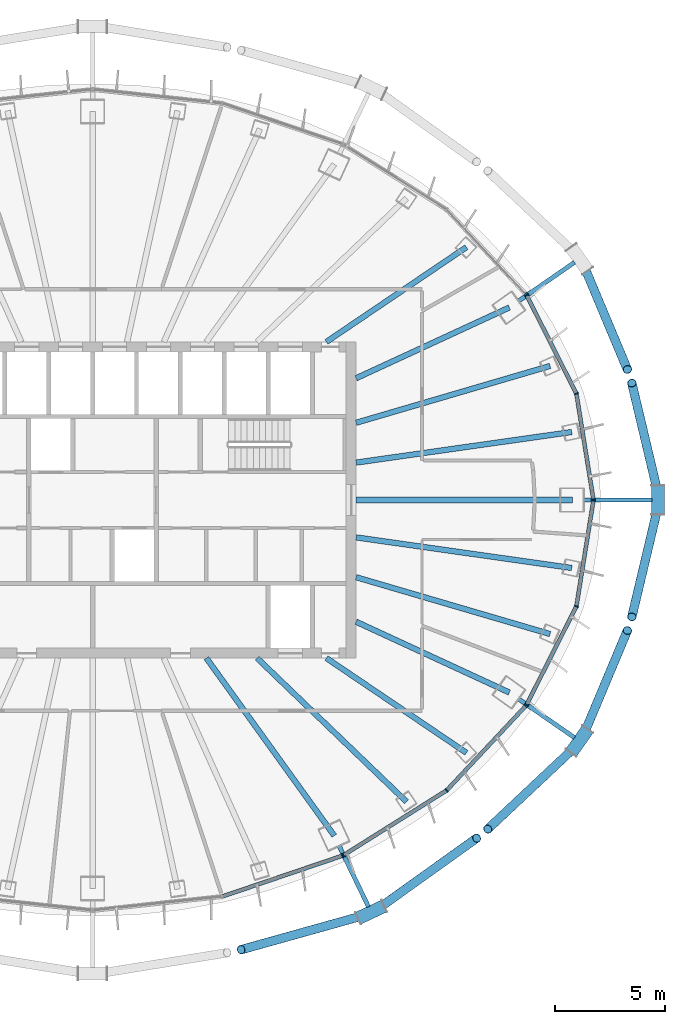
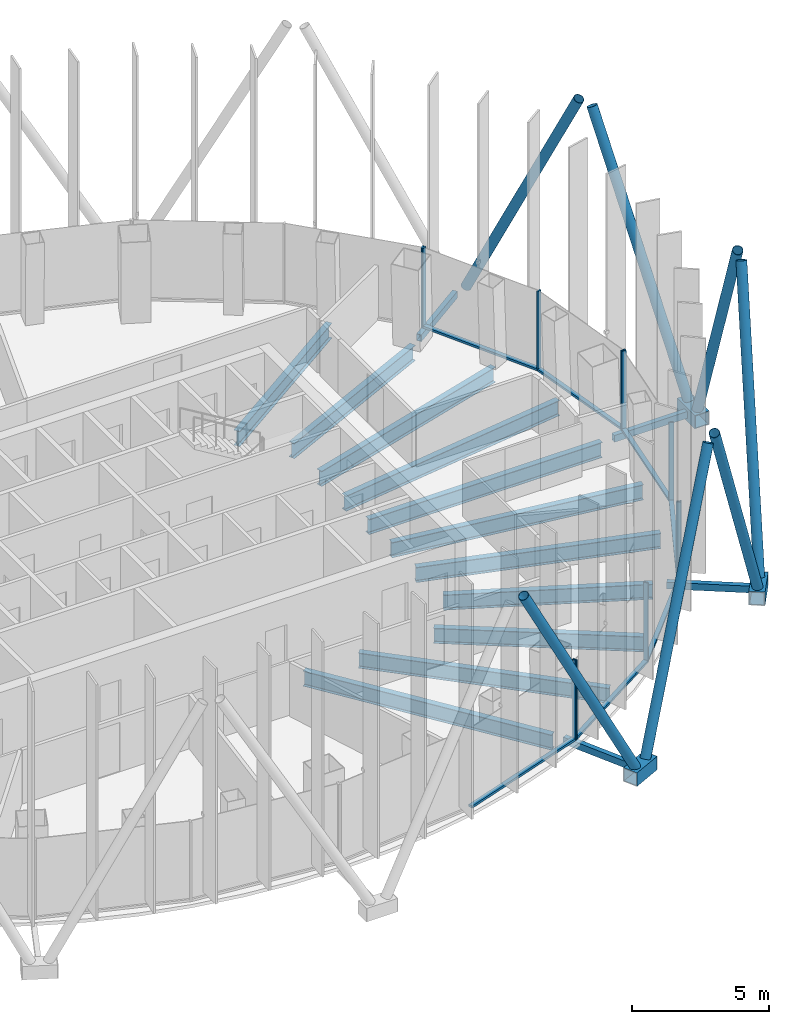
# One storey, part 4 of 17: 32 members, 11 beams, 5 elements without a shape of their own.
"""IFC4 building model written with IfcOpenShell, lengths in metres."""

from ifc_helpers import new_model, si_unit, direction, frame, origin, origin_2d, place, context, subcontext, project, spatial, rectangle, hollow_rectangle, hollow_circle, i_section, extrude, material, layer, layer_set, material_profile, profile_set, type_object, element, aggregate, save


model = new_model("IFC4")

# Units and contexts
model_context = context("Model", 3, precision=1e-05, world=origin(), true_north=direction((0.0, 1.0)))
body_context = subcontext(model_context, "Body", "Model", "MODEL_VIEW")
ifc_project = project(units=[si_unit("LENGTHUNIT", "METRE"), si_unit("AREAUNIT", "SQUARE_METRE"), si_unit("VOLUMEUNIT", "CUBIC_METRE"), si_unit("PLANEANGLEUNIT", "RADIAN"), si_unit("MASSUNIT", "GRAM", prefix="KILO")], contexts=[model_context])

# Site, building, storey
site_placement = place(None, origin())
site = spatial("IfcSite", under=ifc_project, at=site_placement, CompositionType="ELEMENT")
building_placement = place(site_placement, origin())
building = spatial("IfcBuilding", under=site, at=building_placement, Name="Siaravel Broadcast Tower", CompositionType="ELEMENT")
storey_placement = place(building_placement, frame((0.0, 0.0, 190.39990234375)))
storey = spatial("IfcBuildingStorey", under=building, at=storey_placement, Name="L46", CompositionType="ELEMENT", Elevation=190.39990234375)

# Beams
ifc_material_1 = material(Name="Steel S355", Category="steel")
ifc_material_profile_1 = material_profile(ifc_material_1, i_section(OverallWidth=0.2529296875, OverallDepth=0.677978515625, WebThickness=0.01171875, FlangeThickness=0.01611328125, FilletRadius=0.01513671875, at=origin_2d()))
ifc_profile_set_1 = profile_set([ifc_material_profile_1], Name="Steel S355")
beam_type = type_object("IfcBeamType", Name="BM-UB 686x254x125", PredefinedType="BEAM", material=ifc_profile_set_1)
beam_1_placement = place(storey_placement, frame((21.852294921875, 0.0, -0.489013671875), z_axis=(-1.0, 0.0, 0.0), x_axis=(0.0, -1.0, 0.0)))
element("IfcBeam", 1, at=beam_1_placement, inside=storey, type_object=beam_type, Name="Radial beam RB01", PredefinedType="BEAM", context=body_context, shape_type="SweptSolid", body=[
    extrude(i_section(OverallWidth=0.2529296875, OverallDepth=0.677978515625, WebThickness=0.01171875, FlangeThickness=0.01611328125, FilletRadius=0.01513671875, at=origin_2d()), origin(), (0.0, 0.0, 1.0), 9.852294921875),
])
beam_2_placement = place(storey_placement, frame((21.821533203125, 3.09619140625, -0.489013671875), z_axis=(-0.990083424, -0.140480653, 0.0), x_axis=(0.140480653, -0.990083424, 0.0)))
element("IfcBeam", 2, at=beam_2_placement, inside=storey, type_object=beam_type, Name="Radial beam RB02", PredefinedType="BEAM", context=body_context, shape_type="SweptSolid", body=[
    extrude(i_section(OverallWidth=0.2529296875, OverallDepth=0.677978515625, WebThickness=0.01171875, FlangeThickness=0.01611328125, FilletRadius=0.01513671875, at=origin_2d()), origin(), (0.0, 0.0, 1.0), 9.919921875),
])
beam_3_placement = place(storey_placement, frame((20.837158203125, 6.105224609375, -0.489013671875), z_axis=(-0.959660493, -0.281161409, 0.0), x_axis=(0.281161409, -0.959660493, 0.0)))
element("IfcBeam", 3, at=beam_3_placement, inside=storey, type_object=beam_type, Name="Radial beam RB03", PredefinedType="BEAM", context=body_context, shape_type="SweptSolid", body=[
    extrude(i_section(OverallWidth=0.2529296875, OverallDepth=0.677978515625, WebThickness=0.01171875, FlangeThickness=0.01611328125, FilletRadius=0.01513671875, at=origin_2d()), origin(), (0.0, 0.0, 1.0), 9.208740234375),
])
beam_4_placement = place(storey_placement, frame((18.978271484375, 8.7666015625, -0.489013671875), z_axis=(-0.907828267, -0.419342148, 0.0), x_axis=(0.419342148, -0.907828267, 0.0)))
element("IfcBeam", 4, at=beam_4_placement, inside=storey, type_object=beam_type, Name="Radial beam RB04", PredefinedType="BEAM", context=body_context, shape_type="SweptSolid", body=[
    extrude(i_section(OverallWidth=0.2529296875, OverallDepth=0.677978515625, WebThickness=0.01171875, FlangeThickness=0.01611328125, FilletRadius=0.01513671875, at=origin_2d()), origin(), (0.0, 0.0, 1.0), 7.686767578125),
])
beam_5_placement = place(storey_placement, frame((17.023681640625, 11.51220703125, -0.489013671875), z_axis=(-0.828367821, -0.560184571, 0.0), x_axis=(0.560184571, -0.828367821, 0.0)))
element("IfcBeam", 5, at=beam_5_placement, inside=storey, type_object=beam_type, Name="Radial beam RB05", PredefinedType="BEAM", context=body_context, shape_type="SweptSolid", body=[
    extrude(i_section(OverallWidth=0.2529296875, OverallDepth=0.677978515625, WebThickness=0.01171875, FlangeThickness=0.01611328125, FilletRadius=0.01513671875, at=origin_2d()), origin(), (0.0, 0.0, 1.0), 7.697998046875),
])
beam_6_placement = place(storey_placement, frame((11.005859375, -15.287353515625, -0.489013671875), z_axis=(-0.584260838, 0.811565939, 0.0), x_axis=(-0.811565939, -0.584260838, 0.0)))
element("IfcBeam", 6, at=beam_6_placement, inside=storey, type_object=beam_type, Name="Radial beam RB31", PredefinedType="BEAM", context=body_context, shape_type="SweptSolid", body=[
    extrude(i_section(OverallWidth=0.2529296875, OverallDepth=0.677978515625, WebThickness=0.01171875, FlangeThickness=0.01611328125, FilletRadius=0.01513671875, at=origin_2d()), origin(), (0.0, 0.0, 1.0), 9.965087890625),
])
beam_7_placement = place(storey_placement, frame((14.30029296875, -13.742919921875, -0.489013671875), z_axis=(-0.721006936, 0.692927845, 0.0), x_axis=(-0.692927845, -0.721006936, 0.0)))
element("IfcBeam", 7, at=beam_7_placement, inside=storey, type_object=beam_type, Name="Radial beam RB32", PredefinedType="BEAM", context=body_context, shape_type="SweptSolid", body=[
    extrude(i_section(OverallWidth=0.2529296875, OverallDepth=0.677978515625, WebThickness=0.01171875, FlangeThickness=0.01611328125, FilletRadius=0.01513671875, at=origin_2d()), origin(), (0.0, 0.0, 1.0), 9.4423828125),
])
beam_8_placement = place(storey_placement, frame((17.023681640625, -11.51220703125, -0.489013671875), z_axis=(-0.828367821, 0.560184571, 0.0), x_axis=(-0.560184571, -0.828367821, 0.0)))
element("IfcBeam", 8, at=beam_8_placement, inside=storey, type_object=beam_type, Name="Radial beam RB33", PredefinedType="BEAM", context=body_context, shape_type="SweptSolid", body=[
    extrude(i_section(OverallWidth=0.2529296875, OverallDepth=0.677978515625, WebThickness=0.01171875, FlangeThickness=0.01611328125, FilletRadius=0.01513671875, at=origin_2d()), origin(), (0.0, 0.0, 1.0), 7.697998046875),
])
beam_9_placement = place(storey_placement, frame((18.978271484375, -8.7666015625, -0.489013671875), z_axis=(-0.907828267, 0.419342148, 0.0), x_axis=(-0.419342148, -0.907828267, 0.0)))
element("IfcBeam", 9, at=beam_9_placement, inside=storey, type_object=beam_type, Name="Radial beam RB34", PredefinedType="BEAM", context=body_context, shape_type="SweptSolid", body=[
    extrude(i_section(OverallWidth=0.2529296875, OverallDepth=0.677978515625, WebThickness=0.01171875, FlangeThickness=0.01611328125, FilletRadius=0.01513671875, at=origin_2d()), origin(), (0.0, 0.0, 1.0), 7.686767578125),
])
beam_10_placement = place(storey_placement, frame((20.837158203125, -6.105224609375, -0.489013671875), z_axis=(-0.959660493, 0.281161409, 0.0), x_axis=(-0.281161409, -0.959660493, 0.0)))
element("IfcBeam", 10, at=beam_10_placement, inside=storey, type_object=beam_type, Name="Radial beam RB35", PredefinedType="BEAM", context=body_context, shape_type="SweptSolid", body=[
    extrude(i_section(OverallWidth=0.2529296875, OverallDepth=0.677978515625, WebThickness=0.01171875, FlangeThickness=0.01611328125, FilletRadius=0.01513671875, at=origin_2d()), origin(), (0.0, 0.0, 1.0), 9.208740234375),
])
beam_11_placement = place(storey_placement, frame((21.821533203125, -3.09619140625, -0.489013671875), z_axis=(-0.990083424, 0.140480653, 0.0), x_axis=(-0.140480653, -0.990083424, 0.0)))
element("IfcBeam", 11, at=beam_11_placement, inside=storey, type_object=beam_type, Name="Radial beam RB36", PredefinedType="BEAM", context=body_context, shape_type="SweptSolid", body=[
    extrude(i_section(OverallWidth=0.2529296875, OverallDepth=0.677978515625, WebThickness=0.01171875, FlangeThickness=0.01611328125, FilletRadius=0.01513671875, at=origin_2d()), origin(), (0.0, 0.0, 1.0), 9.919921875),
])

# Curtain wall, members
ifc_material_2 = material(Name="Aluminium 6063-T6", Category="aluminium")
ifc_layer = layer(ifc_material_2, 0.179931640625)
ifc_layer_set = layer_set([ifc_layer], Name="Aluminium 6063-T6")
curtain_wall_type = type_object("IfcCurtainWallType", Name="Unitised curtain wall, zone 3", PredefinedType="NOTDEFINED", material=ifc_layer_set)
curtain_wall_1_placement = place(storey_placement, origin())
curtain_wall_1 = element("IfcCurtainWall", 12, at=curtain_wall_1_placement, inside=storey, type_object=curtain_wall_type, Name="L46 Unitised curtain wall, zone 3 01", PredefinedType="NOTDEFINED")
ifc_material_profile_2 = material_profile(ifc_material_2, rectangle(XDim=0.179931640625, YDim=0.06005859375, at=origin_2d()))
ifc_profile_set_2 = profile_set([ifc_material_profile_2], Name="Aluminium 6063-T6")
member_type_1 = type_object("IfcMemberType", Name="CW-Z3 mullion", PredefinedType="MULLION", material=ifc_profile_set_2)
member_1_placement = place(storey_placement, frame((22.805419921875, 0.029541015625, 0.0), z_axis=(0.0, 0.0, 1.0), x_axis=(-0.987329188, -0.158685461, 0.0)))
member_1 = element("IfcMember", 13, at=member_1_placement, type_object=member_type_1, Name="CW-Z3 mullion 1", PredefinedType="MULLION", context=body_context, shape_type="SweptSolid", body=[
    extrude(rectangle(XDim=0.179931640625, YDim=0.06005859375, at=origin_2d()), origin(), (0.0, 0.0, 1.0), 3.550048828125),
])
member_2_placement = place(storey_placement, frame((22.0322265625, 4.8408203125, 0.0), z_axis=(0.0, 0.0, 1.0), x_axis=(-0.951177224, -0.308645247, 0.0)))
member_2 = element("IfcMember", 14, at=member_2_placement, type_object=member_type_1, Name="CW-Z3 mullion 2", PredefinedType="MULLION", context=body_context, shape_type="SweptSolid", body=[
    extrude(rectangle(XDim=0.179931640625, YDim=0.06005859375, at=origin_2d()), origin(), (0.0, 0.0, 1.0), 3.550048828125),
])
member_3_placement = place(storey_placement, frame((19.765380859375, 9.323486328125, 0.0), z_axis=(0.0, 0.0, 1.0), x_axis=(-0.892392092, -0.45126085, 0.0)))
member_3 = element("IfcMember", 15, at=member_3_placement, type_object=member_type_1, Name="CW-Z3 mullion 3", PredefinedType="MULLION", context=body_context, shape_type="SweptSolid", body=[
    extrude(rectangle(XDim=0.179931640625, YDim=0.06005859375, at=origin_2d()), origin(), (0.0, 0.0, 1.0), 3.550048828125),
])

# Curtain wall, member
curtain_wall_2_placement = place(storey_placement, origin())
curtain_wall_2 = element("IfcCurtainWall", 16, at=curtain_wall_2_placement, inside=storey, type_object=curtain_wall_type, Name="L46 Unitised curtain wall, zone 3 02", PredefinedType="NOTDEFINED")
member_4_placement = place(storey_placement, frame((19.7314453125, 9.372314453125, 0.0), z_axis=(0.0, 0.0, 1.0), x_axis=(-0.729805157, -0.6836552, 0.0)))
member_4 = element("IfcMember", 17, at=member_4_placement, type_object=member_type_1, Name="CW-Z3 mullion 1", PredefinedType="MULLION", context=body_context, shape_type="SweptSolid", body=[
    extrude(rectangle(XDim=0.179931640625, YDim=0.06005859375, at=origin_2d()), origin(), (0.0, 0.0, 1.0), 3.550048828125),
])
aggregate(curtain_wall_2, [member_4])

curtain_wall_3_placement = place(storey_placement, origin())
curtain_wall_3 = element("IfcCurtainWall", 18, at=curtain_wall_3_placement, inside=storey, type_object=curtain_wall_type, Name="L46 Unitised curtain wall, zone 3 10", PredefinedType="NOTDEFINED")
member_5_placement = place(storey_placement, frame((11.373046875, -16.2001953125, 0.0), z_axis=(0.0, 0.0, 1.0), x_axis=(-0.321300458, 0.946977305, 0.0)))
member_5 = element("IfcMember", 19, at=member_5_placement, type_object=member_type_1, Name="CW-Z3 mullion 3", PredefinedType="MULLION", context=body_context, shape_type="SweptSolid", body=[
    extrude(rectangle(XDim=0.179931640625, YDim=0.06005859375, at=origin_2d()), origin(), (0.0, 0.0, 1.0), 3.550048828125),
])

# Curtain wall, members
curtain_wall_4_placement = place(storey_placement, origin())
curtain_wall_4 = element("IfcCurtainWall", 20, at=curtain_wall_4_placement, inside=storey, type_object=curtain_wall_type, Name="L46 Unitised curtain wall, zone 3 11", PredefinedType="NOTDEFINED")
member_6_placement = place(storey_placement, frame((11.427001953125, -16.1748046875, 0.0), z_axis=(0.0, 0.0, 1.0), x_axis=(-0.532149052, 0.846650687, 0.0)))
member_6 = element("IfcMember", 21, at=member_6_placement, type_object=member_type_1, Name="CW-Z3 mullion 1", PredefinedType="MULLION", context=body_context, shape_type="SweptSolid", body=[
    extrude(rectangle(XDim=0.179931640625, YDim=0.06005859375, at=origin_2d()), origin(), (0.0, 0.0, 1.0), 3.550048828125),
])
member_7_placement = place(storey_placement, frame((16.12548828125, -13.221435546875, 0.0), z_axis=(0.0, 0.0, 1.0), x_axis=(-0.636218507, 0.771508918, 0.0)))
member_7 = element("IfcMember", 22, at=member_7_placement, type_object=member_type_1, Name="CW-Z3 mullion 2", PredefinedType="MULLION", context=body_context, shape_type="SweptSolid", body=[
    extrude(rectangle(XDim=0.179931640625, YDim=0.06005859375, at=origin_2d()), origin(), (0.0, 0.0, 1.0), 3.550048828125),
])
member_8_placement = place(storey_placement, frame((19.7314453125, -9.372314453125, 0.0), z_axis=(0.0, 0.0, 1.0), x_axis=(-0.729805157, 0.6836552, 0.0)))
member_8 = element("IfcMember", 23, at=member_8_placement, type_object=member_type_1, Name="CW-Z3 mullion 3", PredefinedType="MULLION", context=body_context, shape_type="SweptSolid", body=[
    extrude(rectangle(XDim=0.179931640625, YDim=0.06005859375, at=origin_2d()), origin(), (0.0, 0.0, 1.0), 3.550048828125),
])

curtain_wall_5_placement = place(storey_placement, origin())
curtain_wall_5 = element("IfcCurtainWall", 24, at=curtain_wall_5_placement, inside=storey, type_object=curtain_wall_type, Name="L46 Unitised curtain wall, zone 3 12", PredefinedType="NOTDEFINED")
member_9_placement = place(storey_placement, frame((19.765380859375, -9.323486328125, 0.0), z_axis=(0.0, 0.0, 1.0), x_axis=(-0.892392092, 0.45126085, 0.0)))
member_9 = element("IfcMember", 25, at=member_9_placement, type_object=member_type_1, Name="CW-Z3 mullion 1", PredefinedType="MULLION", context=body_context, shape_type="SweptSolid", body=[
    extrude(rectangle(XDim=0.179931640625, YDim=0.06005859375, at=origin_2d()), origin(), (0.0, 0.0, 1.0), 3.550048828125),
])
member_10_placement = place(storey_placement, frame((22.0322265625, -4.8408203125, 0.0), z_axis=(0.0, 0.0, 1.0), x_axis=(-0.951177224, 0.308645247, 0.0)))
member_10 = element("IfcMember", 26, at=member_10_placement, type_object=member_type_1, Name="CW-Z3 mullion 2", PredefinedType="MULLION", context=body_context, shape_type="SweptSolid", body=[
    extrude(rectangle(XDim=0.179931640625, YDim=0.06005859375, at=origin_2d()), origin(), (0.0, 0.0, 1.0), 3.550048828125),
])
member_11_placement = place(storey_placement, frame((22.805419921875, -0.029541015625, 0.0), z_axis=(0.0, 0.0, 1.0), x_axis=(-0.987329188, 0.158685461, 0.0)))
member_11 = element("IfcMember", 27, at=member_11_placement, type_object=member_type_1, Name="CW-Z3 mullion 3", PredefinedType="MULLION", context=body_context, shape_type="SweptSolid", body=[
    extrude(rectangle(XDim=0.179931640625, YDim=0.06005859375, at=origin_2d()), origin(), (0.0, 0.0, 1.0), 3.550048828125),
])

# Member
ifc_material_profile_3 = material_profile(ifc_material_2, rectangle(XDim=0.179931640625, YDim=0.10009765625, at=origin_2d()))
ifc_profile_set_3 = profile_set([ifc_material_profile_3], Name="Aluminium 6063-T6")
member_type_2 = type_object("IfcMemberType", Name="CW-Z3 transom", PredefinedType="USERDEFINED", material=ifc_profile_set_3)
member_12_placement = place(storey_placement, frame((22.80078125, 0.05908203125, 0.050048828125), z_axis=(-0.158671031, 0.987331507, 0.0), x_axis=(-0.987331507, -0.158671031, 0.0)))
member_12 = element("IfcMember", 28, at=member_12_placement, type_object=member_type_2, Name="CW-Z3 transom 1", ObjectType="TRANSOM", PredefinedType="USERDEFINED", context=body_context, shape_type="SweptSolid", body=[
    extrude(rectangle(XDim=0.179931640625, YDim=0.10009765625, at=origin_2d()), origin(), (0.0, 0.0, 1.0), 4.81298828125),
])

member_13_placement = place(storey_placement, frame((22.018798828125, 4.867431640625, 0.050048828125), z_axis=(-0.45128156, 0.892381619, 0.0), x_axis=(-0.892381619, -0.45128156, 0.0)))
member_13 = element("IfcMember", 29, at=member_13_placement, type_object=member_type_2, Name="CW-Z3 transom 2", ObjectType="TRANSOM", PredefinedType="USERDEFINED", context=body_context, shape_type="SweptSolid", body=[
    extrude(rectangle(XDim=0.179931640625, YDim=0.10009765625, at=origin_2d()), origin(), (0.0, 0.0, 1.0), 4.963623046875),
])

aggregate(curtain_wall_1, [member_1, member_2, member_3, member_12, member_13])

member_14_placement = place(storey_placement, frame((5.929931640625, -18.047119140625, 0.050048828125), z_axis=(0.946978932, 0.321295661, 0.0), x_axis=(-0.321295661, 0.946978932, 0.0)))
member_14 = element("IfcMember", 30, at=member_14_placement, type_object=member_type_2, Name="CW-Z3 transom 2", ObjectType="TRANSOM", PredefinedType="USERDEFINED", context=body_context, shape_type="SweptSolid", body=[
    extrude(rectangle(XDim=0.179931640625, YDim=0.10009765625, at=origin_2d()), origin(), (0.0, 0.0, 1.0), 5.718017578125),
])

aggregate(curtain_wall_3, [member_5, member_14])

member_15_placement = place(storey_placement, frame((11.452392578125, -16.15869140625, 0.050048828125), z_axis=(0.846638839, 0.532167902, 0.0), x_axis=(-0.532167902, 0.846638839, 0.0)))
member_15 = element("IfcMember", 31, at=member_15_placement, type_object=member_type_2, Name="CW-Z3 transom 1", ObjectType="TRANSOM", PredefinedType="USERDEFINED", context=body_context, shape_type="SweptSolid", body=[
    extrude(rectangle(XDim=0.179931640625, YDim=0.10009765625, at=origin_2d()), origin(), (0.0, 0.0, 1.0), 5.489501953125),
])

member_16_placement = place(storey_placement, frame((16.146240234375, -13.199462890625, 0.050048828125), z_axis=(0.683645131, 0.72981459, 0.0), x_axis=(-0.72981459, 0.683645131, 0.0)))
member_16 = element("IfcMember", 32, at=member_16_placement, type_object=member_type_2, Name="CW-Z3 transom 2", ObjectType="TRANSOM", PredefinedType="USERDEFINED", context=body_context, shape_type="SweptSolid", body=[
    extrude(rectangle(XDim=0.179931640625, YDim=0.10009765625, at=origin_2d()), origin(), (0.0, 0.0, 1.0), 5.2138671875),
])

aggregate(curtain_wall_4, [member_6, member_7, member_8, member_15, member_16])

member_17_placement = place(storey_placement, frame((19.77880859375, -9.296875, 0.050048828125), z_axis=(0.45128156, 0.892381619, 0.0), x_axis=(-0.892381619, 0.45128156, 0.0)))
member_17 = element("IfcMember", 33, at=member_17_placement, type_object=member_type_2, Name="CW-Z3 transom 1", ObjectType="TRANSOM", PredefinedType="USERDEFINED", context=body_context, shape_type="SweptSolid", body=[
    extrude(rectangle(XDim=0.179931640625, YDim=0.10009765625, at=origin_2d()), origin(), (0.0, 0.0, 1.0), 4.963623046875),
])

member_18_placement = place(storey_placement, frame((22.037109375, -4.81103515625, 0.050048828125), z_axis=(0.158671031, 0.987331507, 0.0), x_axis=(-0.987331507, 0.158671031, 0.0)))
member_18 = element("IfcMember", 34, at=member_18_placement, type_object=member_type_2, Name="CW-Z3 transom 2", ObjectType="TRANSOM", PredefinedType="USERDEFINED", context=body_context, shape_type="SweptSolid", body=[
    extrude(rectangle(XDim=0.179931640625, YDim=0.10009765625, at=origin_2d()), origin(), (0.0, 0.0, 1.0), 4.81298828125),
])

aggregate(curtain_wall_5, [member_9, member_10, member_11, member_17, member_18])

# Members
ifc_material_3 = material(Name="Steel S460", Category="steel")
ifc_material_profile_4 = material_profile(ifc_material_3, hollow_circle(Radius=0.203125, WallThickness=0.01611328125, at=origin_2d()))
ifc_profile_set_4 = profile_set([ifc_material_profile_4], Name="Steel S460")
member_type_3 = type_object("IfcMemberType", Name="Diagrid diagonal CHS 406.4x16", PredefinedType="BRACE", material=ifc_profile_set_4)
for number, where, z_axis, x_axis, name in (
    (35, (25.744384765625, -0.323486328125, 0.070068359375), (-0.101145498, -0.425929387, 0.899084949), (0.972943089, -0.231044901, 0.0), "Diagrid diagonal R19 station 00C"),
    (36, (25.744384765625, 0.323486328125, 0.070068359375), (-0.101145498, 0.425929387, 0.899084949), (-0.972943089, -0.231044901, 0.0), "Diagrid diagonal R19 station 00A"),
):
    element("IfcMember", number, at=place(storey_placement, frame(where, z_axis=z_axis, x_axis=x_axis)), inside=storey, type_object=member_type_3, Name=name, PredefinedType="BRACE", context=body_context, shape_type="SweptSolid", body=[
        extrude(hollow_circle(Radius=0.203125, WallThickness=0.01611328125, at=origin_2d()), origin(), (0.0, 0.0, 1.0), 11.745361328125),
    ])
member_19_placement = place(storey_placement, frame((22.355224609375, 10.71240234375, 0.070068359375), z_axis=(0.170079114, -0.405744155, 0.898022703), x_axis=(0.922252462, 0.386588148, 0.0)))
element("IfcMember", 37, at=member_19_placement, inside=storey, type_object=member_type_3, Name="Diagrid diagonal R19 station 06C", PredefinedType="BRACE", context=body_context, shape_type="SweptSolid", body=[
    extrude(hollow_circle(Radius=0.203125, WallThickness=0.01611328125, at=origin_2d()), origin(), (0.0, 0.0, 1.0), 11.75927734375),
])
member_20_placement = place(storey_placement, frame((12.391357421875, -18.90673828125, 0.070068359375), z_axis=(-0.466270762, -0.130197346, 0.875008701), x_axis=(0.268943218, -0.963156034, 0.0)))
element("IfcMember", 38, at=member_20_placement, inside=storey, type_object=member_type_3, Name="Diagrid diagonal R19 station 60C", PredefinedType="BRACE", context=body_context, shape_type="SweptSolid", body=[
    extrude(hollow_circle(Radius=0.203125, WallThickness=0.01611328125, at=origin_2d()), origin(), (0.0, 0.0, 1.0), 12.068603515625),
])
member_21_placement = place(storey_placement, frame((12.976318359375, -18.630126953125, 0.070068359375), z_axis=(0.378431016, 0.270813609, 0.885127084), x_axis=(-0.581957602, 0.813219128, 0.0)))
element("IfcMember", 39, at=member_21_placement, inside=storey, type_object=member_type_3, Name="Diagrid diagonal R19 station 60A", PredefinedType="BRACE", context=body_context, shape_type="SweptSolid", body=[
    extrude(hollow_circle(Radius=0.203125, WallThickness=0.01611328125, at=origin_2d()), origin(), (0.0, 0.0, 1.0), 11.9306640625),
])
member_22_placement = place(storey_placement, frame((21.982421875, -11.2412109375, 0.070068359375), z_axis=(-0.335500902, -0.315078572, 0.88778637), x_axis=(0.6845728, -0.728944498, 0.0)))
element("IfcMember", 40, at=member_22_placement, inside=storey, type_object=member_type_3, Name="Diagrid diagonal R19 station 66C", PredefinedType="BRACE", context=body_context, shape_type="SweptSolid", body=[
    extrude(hollow_circle(Radius=0.203125, WallThickness=0.01611328125, at=origin_2d()), origin(), (0.0, 0.0, 1.0), 11.894775390625),
])
member_23_placement = place(storey_placement, frame((22.355224609375, -10.71240234375, 0.070068359375), z_axis=(0.170079114, 0.405744155, 0.898022703), x_axis=(-0.922252462, 0.386588148, 0.0)))
element("IfcMember", 41, at=member_23_placement, inside=storey, type_object=member_type_3, Name="Diagrid diagonal R19 station 66A", PredefinedType="BRACE", context=body_context, shape_type="SweptSolid", body=[
    extrude(hollow_circle(Radius=0.203125, WallThickness=0.01611328125, at=origin_2d()), origin(), (0.0, 0.0, 1.0), 11.75927734375),
])
ifc_material_profile_5 = material_profile(ifc_material_3, hollow_rectangle(XDim=0.60009765625, YDim=0.60009765625, WallThickness=0.031982421875, at=origin_2d()))
ifc_profile_set_5 = profile_set([ifc_material_profile_5], Name="Steel S460")
member_type_4 = type_object("IfcMemberType", Name="Diagrid node BOX 600x600x32", PredefinedType="USERDEFINED", material=ifc_profile_set_5)
for number, where, z_axis, x_axis, name in (
    (42, (25.744384765625, -0.646728515625, -0.199951171875), (0.0, 1.0, 0.0), (-1.0, 0.0, 0.0), "Diagrid node R19 station 00"),
    (43, (12.09912109375, -19.044921875, -0.199951171875), (0.903991359, 0.427550726, 0.0), (-0.427550726, 0.903991359, 0.0), "Diagrid node R19 station 60"),
    (44, (21.79638671875, -11.505615234375, -0.199951171875), (0.576030928, 0.817427899, 0.0), (-0.817427899, 0.576030928, 0.0), "Diagrid node R19 station 66"),
):
    element("IfcMember", number, at=place(storey_placement, frame(where, z_axis=z_axis, x_axis=x_axis)), inside=storey, type_object=member_type_4, Name=name, ObjectType="DIAGRID NODE", PredefinedType="USERDEFINED", context=body_context, shape_type="SweptSolid", body=[
        extrude(hollow_rectangle(XDim=0.60009765625, YDim=0.60009765625, WallThickness=0.031982421875, at=origin_2d()), origin(), (0.0, 0.0, 1.0), 1.29345703125),
    ])
ifc_material_profile_6 = material_profile(ifc_material_3, hollow_rectangle(XDim=0.199951171875, YDim=0.300048828125, WallThickness=0.012451171875, at=origin_2d()))
ifc_profile_set_6 = profile_set([ifc_material_profile_6], Name="Steel S460")
member_type_5 = type_object("IfcMemberType", Name="Diagrid node arm RHS 300x200x12.5", PredefinedType="STRUT", material=ifc_profile_set_6)
member_24_placement = place(storey_placement, frame((22.372314453125, 0.0, -0.199951171875), z_axis=(1.0, 0.0, 0.0), x_axis=(0.0, 1.0, 0.0)))
element("IfcMember", 45, at=member_24_placement, inside=storey, type_object=member_type_5, Name="Node arm R19 station 00", PredefinedType="STRUT", context=body_context, shape_type="SweptSolid", body=[
    extrude(hollow_rectangle(XDim=0.199951171875, YDim=0.300048828125, WallThickness=0.012451171875, at=origin_2d()), origin(), (0.0, 0.0, 1.0), 3.102294921875),
])
member_25_placement = place(storey_placement, frame((19.40576171875, 9.062744140625, -0.199951171875), z_axis=(0.822052855, 0.569411191, 0.0), x_axis=(-0.569411191, 0.822052855, 0.0)))
element("IfcMember", 46, at=member_25_placement, inside=storey, type_object=member_type_5, Name="Node arm R19 station 06", PredefinedType="STRUT", context=body_context, shape_type="SweptSolid", body=[
    extrude(hollow_rectangle(XDim=0.199951171875, YDim=0.300048828125, WallThickness=0.012451171875, at=origin_2d()), origin(), (0.0, 0.0, 1.0), 3.09130859375),
])
member_26_placement = place(storey_placement, frame((11.231689453125, -15.755859375, -0.199951171875), z_axis=(0.434238201, -0.900798082, 0.0), x_axis=(0.900798082, 0.434238201, 0.0)))
element("IfcMember", 47, at=member_26_placement, inside=storey, type_object=member_type_5, Name="Node arm R19 station 60", PredefinedType="STRUT", context=body_context, shape_type="SweptSolid", body=[
    extrude(hollow_rectangle(XDim=0.199951171875, YDim=0.300048828125, WallThickness=0.012451171875, at=origin_2d()), origin(), (0.0, 0.0, 1.0), 3.07421875),
])
member_27_placement = place(storey_placement, frame((19.40576171875, -9.062744140625, -0.199951171875), z_axis=(0.822052855, -0.569411191, 0.0), x_axis=(0.569411191, 0.822052855, 0.0)))
element("IfcMember", 48, at=member_27_placement, inside=storey, type_object=member_type_5, Name="Node arm R19 station 66", PredefinedType="STRUT", context=body_context, shape_type="SweptSolid", body=[
    extrude(hollow_rectangle(XDim=0.199951171875, YDim=0.300048828125, WallThickness=0.012451171875, at=origin_2d()), origin(), (0.0, 0.0, 1.0), 3.09130859375),
])

save(model, "model.ifc")
